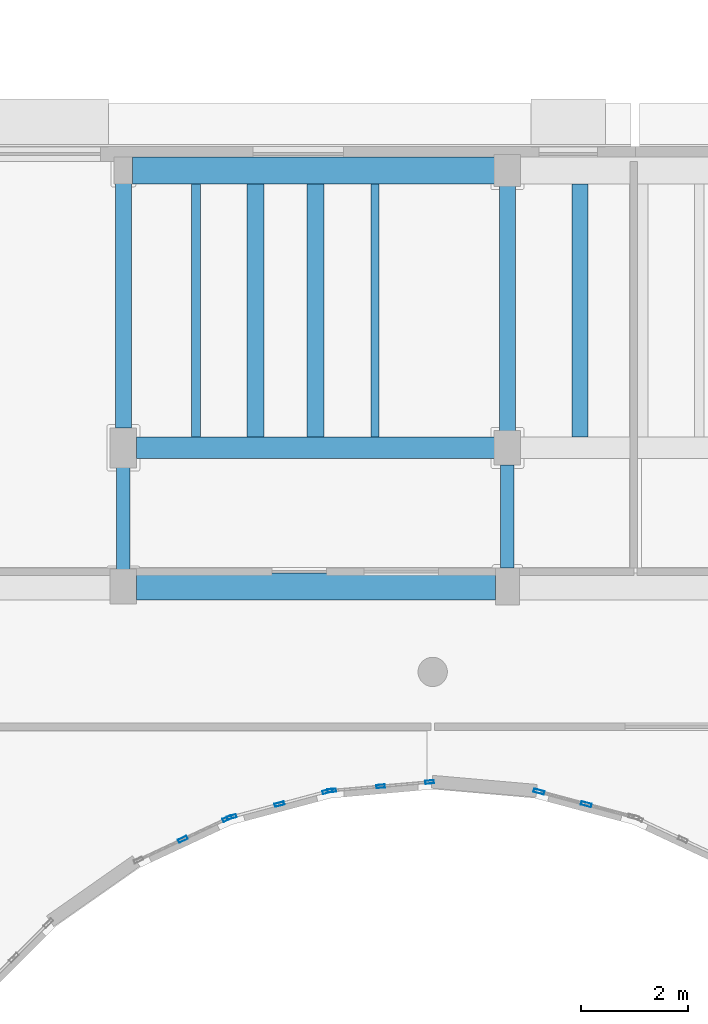
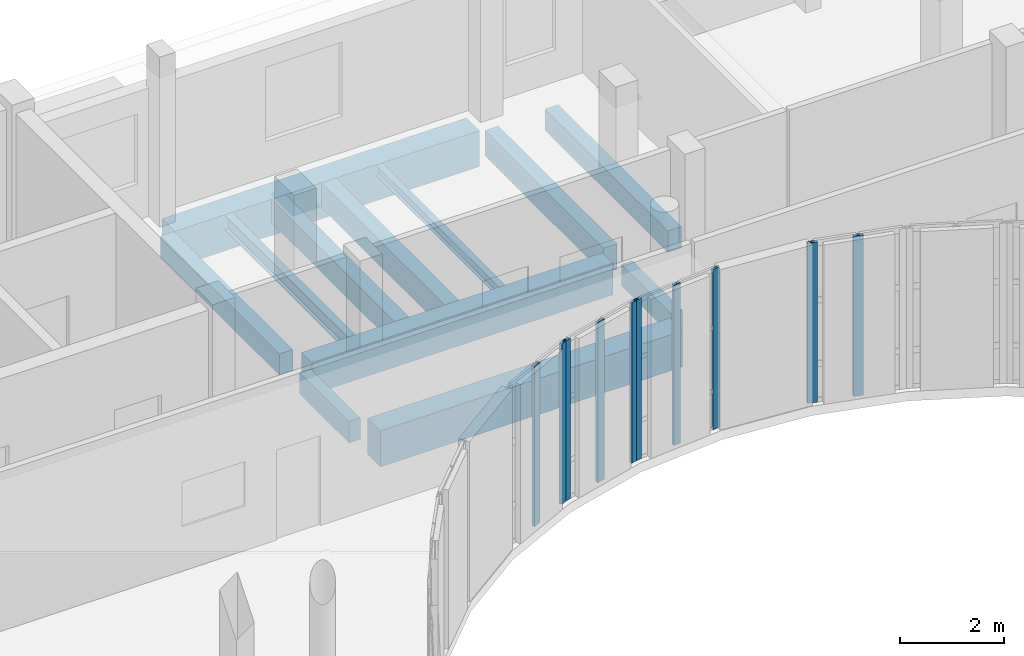
# One storey, part 20 of 89: 12 beams, 10 members, 4 elements without a shape of their own.
"""IFC4 building model written with IfcOpenShell, lengths in metres."""

from ifc_helpers import new_model, si_unit, direction, frame, origin, origin_2d, place, context, subcontext, project, spatial, rectangle, hollow_rectangle, i_section, extrude, material, layer, layer_set, material_profile, profile_set, type_object, element, aggregate, save


model = new_model("IFC4")

# Units and contexts
model_context = context("Model", 3, precision=1e-05, world=origin(), true_north=direction((0.0, 1.0)))
body_context = subcontext(model_context, "Body", "Model", "MODEL_VIEW")
ifc_project = project(units=[si_unit("LENGTHUNIT", "METRE"), si_unit("AREAUNIT", "SQUARE_METRE"), si_unit("VOLUMEUNIT", "CUBIC_METRE"), si_unit("PLANEANGLEUNIT", "RADIAN"), si_unit("MASSUNIT", "GRAM", prefix="KILO")], contexts=[model_context])

# Site, building, storey
site_placement = place(None, origin())
site = spatial("IfcSite", under=ifc_project, at=site_placement, CompositionType="ELEMENT")
building_placement = place(site_placement, origin())
building = spatial("IfcBuilding", under=site, at=building_placement, Name="Kelanivale Promenade Academy", CompositionType="ELEMENT")
storey_placement = place(building_placement, frame((0.0, 0.0, 12.199951171875)))
storey = spatial("IfcBuildingStorey", under=building, at=storey_placement, Name="L03", CompositionType="ELEMENT", Elevation=12.199951171875)

# Beams
ifc_material_1 = material(Name="Concrete C35/45", Category="concrete")
ifc_material_profile_1 = material_profile(ifc_material_1, rectangle(XDim=0.5, YDim=0.85009765625, at=origin_2d()), Name="RC-BM 500x850")
ifc_profile_set_1 = profile_set([ifc_material_profile_1], Name="Concrete C35/45")
beam_type_1 = type_object("IfcBeamType", Name="BM-07 RC-BM 500x850", PredefinedType="BEAM", material=ifc_profile_set_1)
beam_1_placement = place(storey_placement, frame((57.844970703125, 71.60009765625, -0.64501953125), z_axis=(1.0, 0.0, 0.0), x_axis=(0.0, 1.0, 0.0)))
element("IfcBeam", 1, at=beam_1_placement, inside=storey, type_object=beam_type_1, Name="L03 girder BM-07", PredefinedType="BEAM", context=body_context, shape_type="SweptSolid", body=[
    extrude(rectangle(XDim=0.5, YDim=0.85009765625, at=origin_2d()), origin(), (0.0, 0.0, 1.0), 6.735107421875),
])
beam_2_placement = place(storey_placement, frame((57.77001953125, 79.39990234375, -0.64501953125), z_axis=(1.0, 0.0, 0.0), x_axis=(0.0, 1.0, 0.0)))
element("IfcBeam", 2, at=beam_2_placement, inside=storey, type_object=beam_type_1, Name="L03 girder BM-07", PredefinedType="BEAM", context=body_context, shape_type="SweptSolid", body=[
    extrude(rectangle(XDim=0.5, YDim=0.85009765625, at=origin_2d()), origin(), (0.0, 0.0, 1.0), 6.784912109375),
])
ifc_material_profile_2 = material_profile(ifc_material_1, rectangle(XDim=0.39990234375, YDim=0.75, at=origin_2d()), Name="RC-BM 400x750")
ifc_profile_set_2 = profile_set([ifc_material_profile_2], Name="Concrete C35/45")
beam_type_2 = type_object("IfcBeamType", Name="BM-13 RC-BM 400x750", PredefinedType="BEAM", material=ifc_profile_set_2)
beam_3_placement = place(storey_placement, frame((57.844970703125, 74.199951171875, -0.594970703125), z_axis=(1.0, 0.0, 0.0), x_axis=(0.0, 1.0, 0.0)))
element("IfcBeam", 3, at=beam_3_placement, inside=storey, type_object=beam_type_2, Name="L03 girder BM-13", PredefinedType="BEAM", context=body_context, shape_type="SweptSolid", body=[
    extrude(rectangle(XDim=0.39990234375, YDim=0.75, at=origin_2d()), origin(), (0.0, 0.0, 1.0), 6.7099609375),
])

# Curtain wall, members
ifc_material_2 = material(Name="Bronze anodised aluminium and solar-control low-E glass", Category="aluminium")
ifc_layer_1 = layer(ifc_material_2, 0.179931640625)
ifc_layer_set_1 = layer_set([ifc_layer_1], Name="Bronze anodised aluminium and solar-control low-E glass")
curtain_wall_type_1 = type_object("IfcCurtainWallType", Name="CW-17 Curtain Wall 1950mm Module", PredefinedType="USERDEFINED", material=ifc_layer_set_1)
curtain_wall_1_placement = place(storey_placement, origin())
curtain_wall_1 = element("IfcCurtainWall", 4, at=curtain_wall_1_placement, inside=storey, type_object=curtain_wall_type_1, Name="L03 courtyard curtain wall CW-17", ObjectType="COURTYARD SCREEN GLAZING", PredefinedType="USERDEFINED")
ifc_material_3 = material(Name="Bronze anodised aluminium EN AW-6063 T6", Category="aluminium")
ifc_material_profile_3 = material_profile(ifc_material_3, hollow_rectangle(XDim=0.06005859375, YDim=0.159912109375, WallThickness=0.00390625, at=origin_2d()), Name="ALU 60x160x4.0")
ifc_profile_set_3 = profile_set([ifc_material_profile_3], Name="Bronze anodised aluminium EN AW-6063 T6")
member_type_1 = type_object("IfcMemberType", Name="CWM-01 ALU 60x160x4.0", PredefinedType="MULLION", material=ifc_profile_set_3)
member_1_placement = place(storey_placement, frame((63.343017578125, 67.935302734375, 0.0), z_axis=(0.0, 0.0, 1.0), x_axis=(0.087264768066, -0.996185153601, 0.0)))
member_1 = element("IfcMember", 5, at=member_1_placement, type_object=member_type_1, Name="CW-17 mullion 1", PredefinedType="MULLION", context=body_context, shape_type="SweptSolid", body=[
    extrude(hollow_rectangle(XDim=0.06005859375, YDim=0.159912109375, WallThickness=0.00390625, at=origin_2d()), origin(), (0.0, 0.0, 1.0), 3.780029296875),
])
member_2_placement = place(storey_placement, frame((62.425537109375, 67.85498046875, 0.0), z_axis=(0.0, 0.0, 1.0), x_axis=(0.087264768066, -0.996185153601, 0.0)))
member_2 = element("IfcMember", 6, at=member_2_placement, type_object=member_type_1, Name="CW-17 mullion 2", PredefinedType="MULLION", context=body_context, shape_type="SweptSolid", body=[
    extrude(hollow_rectangle(XDim=0.06005859375, YDim=0.159912109375, WallThickness=0.00390625, at=origin_2d()), origin(), (0.0, 0.0, 1.0), 3.780029296875),
])
member_3_placement = place(storey_placement, frame((61.5078125, 67.774658203125, 0.0), z_axis=(0.0, 0.0, 1.0), x_axis=(0.087264768066, -0.996185153601, 0.0)))
member_3 = element("IfcMember", 7, at=member_3_placement, type_object=member_type_1, Name="CW-17 mullion 3", PredefinedType="MULLION", context=body_context, shape_type="SweptSolid", body=[
    extrude(hollow_rectangle(XDim=0.06005859375, YDim=0.159912109375, WallThickness=0.00390625, at=origin_2d()), origin(), (0.0, 0.0, 1.0), 3.780029296875),
])
aggregate(curtain_wall_1, [member_1, member_2, member_3])

ifc_layer_2 = layer(ifc_material_2, 0.159912109375)
ifc_layer_set_2 = layer_set([ifc_layer_2], Name="Bronze anodised aluminium and solar-control low-E glass")
curtain_wall_type_2 = type_object("IfcCurtainWallType", Name="CW-18 Curtain Wall 1200mm Module", PredefinedType="USERDEFINED", material=ifc_layer_set_2)
curtain_wall_2_placement = place(storey_placement, origin())
curtain_wall_2 = element("IfcCurtainWall", 8, at=curtain_wall_2_placement, inside=storey, type_object=curtain_wall_type_2, Name="L03 courtyard curtain wall CW-18", ObjectType="COURTYARD SCREEN GLAZING", PredefinedType="USERDEFINED")
ifc_material_profile_4 = material_profile(ifc_material_3, hollow_rectangle(XDim=0.06005859375, YDim=0.179931640625, WallThickness=0.00390625, at=origin_2d()), Name="ALU 60x180x4.0")
ifc_profile_set_4 = profile_set([ifc_material_profile_4], Name="Bronze anodised aluminium EN AW-6063 T6")
member_type_2 = type_object("IfcMemberType", Name="CWM-02 ALU 60x180x4.0", PredefinedType="MULLION", material=ifc_profile_set_4)
member_4_placement = place(storey_placement, frame((61.425048828125, 67.76025390625, 0.0), z_axis=(0.0, 0.0, 1.0), x_axis=(0.258701323721, -0.96595736195, 0.0)))
member_4 = element("IfcMember", 9, at=member_4_placement, type_object=member_type_2, Name="CW-18 mullion 1", PredefinedType="MULLION", context=body_context, shape_type="SweptSolid", body=[
    extrude(hollow_rectangle(XDim=0.06005859375, YDim=0.179931640625, WallThickness=0.00390625, at=origin_2d()), origin(), (0.0, 0.0, 1.0), 3.780029296875),
])
member_5_placement = place(storey_placement, frame((60.528076171875, 67.52001953125, 0.0), z_axis=(0.0, 0.0, 1.0), x_axis=(0.258701323721, -0.96595736195, 0.0)))
member_5 = element("IfcMember", 10, at=member_5_placement, type_object=member_type_2, Name="CW-18 mullion 2", PredefinedType="MULLION", context=body_context, shape_type="SweptSolid", body=[
    extrude(hollow_rectangle(XDim=0.06005859375, YDim=0.179931640625, WallThickness=0.00390625, at=origin_2d()), origin(), (0.0, 0.0, 1.0), 3.780029296875),
])
member_6_placement = place(storey_placement, frame((59.630859375, 67.27978515625, 0.0), z_axis=(0.0, 0.0, 1.0), x_axis=(0.258701323721, -0.96595736195, 0.0)))
member_6 = element("IfcMember", 11, at=member_6_placement, type_object=member_type_2, Name="CW-18 mullion 3", PredefinedType="MULLION", context=body_context, shape_type="SweptSolid", body=[
    extrude(hollow_rectangle(XDim=0.06005859375, YDim=0.179931640625, WallThickness=0.00390625, at=origin_2d()), origin(), (0.0, 0.0, 1.0), 3.780029296875),
])
aggregate(curtain_wall_2, [member_4, member_5, member_6])

ifc_layer_3 = layer(ifc_material_2, 0.169921875)
ifc_layer_set_3 = layer_set([ifc_layer_3], Name="Bronze anodised aluminium and solar-control low-E glass")
curtain_wall_type_3 = type_object("IfcCurtainWallType", Name="CW-19 Curtain Wall 1350mm Module", PredefinedType="USERDEFINED", material=ifc_layer_set_3)
curtain_wall_3_placement = place(storey_placement, origin())
curtain_wall_3 = element("IfcCurtainWall", 12, at=curtain_wall_3_placement, inside=storey, type_object=curtain_wall_type_3, Name="L03 courtyard curtain wall CW-19", ObjectType="COURTYARD SCREEN GLAZING", PredefinedType="USERDEFINED")
ifc_material_profile_5 = material_profile(ifc_material_3, hollow_rectangle(XDim=0.06494140625, YDim=0.175048828125, WallThickness=0.00390625, at=origin_2d()), Name="ALU 65x175x4.0")
ifc_profile_set_5 = profile_set([ifc_material_profile_5], Name="Bronze anodised aluminium EN AW-6063 T6")
member_type_3 = type_object("IfcMemberType", Name="CWM-03 ALU 65x175x4.0", PredefinedType="MULLION", material=ifc_profile_set_5)
member_7_placement = place(storey_placement, frame((59.549560546875, 67.250244140625, 0.0), z_axis=(0.0, 0.0, 1.0), x_axis=(0.423086860887, -0.906089128146, 0.0)))
member_7 = element("IfcMember", 13, at=member_7_placement, type_object=member_type_3, Name="CW-19 mullion 1", PredefinedType="MULLION", context=body_context, shape_type="SweptSolid", body=[
    extrude(hollow_rectangle(XDim=0.06494140625, YDim=0.175048828125, WallThickness=0.00390625, at=origin_2d()), origin(), (0.0, 0.0, 1.0), 3.780029296875),
])
member_8_placement = place(storey_placement, frame((58.717041015625, 66.861572265625, 0.0), z_axis=(0.0, 0.0, 1.0), x_axis=(0.423086860887, -0.906089128146, 0.0)))
member_8 = element("IfcMember", 14, at=member_8_placement, type_object=member_type_3, Name="CW-19 mullion 2", PredefinedType="MULLION", context=body_context, shape_type="SweptSolid", body=[
    extrude(hollow_rectangle(XDim=0.06494140625, YDim=0.175048828125, WallThickness=0.00390625, at=origin_2d()), origin(), (0.0, 0.0, 1.0), 3.780029296875),
])
aggregate(curtain_wall_3, [member_7, member_8])

ifc_layer_4 = layer(ifc_material_2, 0.169921875)
ifc_layer_set_4 = layer_set([ifc_layer_4], Name="Bronze anodised aluminium and solar-control low-E glass")
curtain_wall_type_4 = type_object("IfcCurtainWallType", Name="CW-16 Curtain Wall 1800mm Module", PredefinedType="USERDEFINED", material=ifc_layer_set_4)
curtain_wall_4_placement = place(storey_placement, origin())
curtain_wall_4 = element("IfcCurtainWall", 15, at=curtain_wall_4_placement, inside=storey, type_object=curtain_wall_type_4, Name="L03 courtyard curtain wall CW-16", ObjectType="COURTYARD SCREEN GLAZING", PredefinedType="USERDEFINED")
ifc_material_profile_6 = material_profile(ifc_material_3, hollow_rectangle(XDim=0.06494140625, YDim=0.199951171875, WallThickness=0.00439453125, at=origin_2d()), Name="ALU 65x200x4.5")
ifc_profile_set_6 = profile_set([ifc_material_profile_6], Name="Bronze anodised aluminium EN AW-6063 T6")
member_type_4 = type_object("IfcMemberType", Name="CWM-04 ALU 65x200x4.5", PredefinedType="MULLION", material=ifc_profile_set_6)
member_9_placement = place(storey_placement, frame((66.279052734375, 67.51806640625, 0.0), z_axis=(0.0, 0.0, 1.0), x_axis=(-0.258578458902, -0.965990259056, 0.0)))
member_9 = element("IfcMember", 16, at=member_9_placement, type_object=member_type_4, Name="CW-16 mullion 2", PredefinedType="MULLION", context=body_context, shape_type="SweptSolid", body=[
    extrude(hollow_rectangle(XDim=0.06494140625, YDim=0.199951171875, WallThickness=0.00439453125, at=origin_2d()), origin(), (0.0, 0.0, 1.0), 3.780029296875),
])
member_10_placement = place(storey_placement, frame((65.391357421875, 67.755615234375, 0.0), z_axis=(0.0, 0.0, 1.0), x_axis=(-0.258578458902, -0.965990259056, 0.0)))
member_10 = element("IfcMember", 17, at=member_10_placement, type_object=member_type_4, Name="CW-16 mullion 3", PredefinedType="MULLION", context=body_context, shape_type="SweptSolid", body=[
    extrude(hollow_rectangle(XDim=0.06494140625, YDim=0.199951171875, WallThickness=0.00439453125, at=origin_2d()), origin(), (0.0, 0.0, 1.0), 3.780029296875),
])
aggregate(curtain_wall_4, [member_9, member_10])

# Beams
ifc_material_profile_7 = material_profile(ifc_material_1, rectangle(XDim=0.300048828125, YDim=0.5, at=origin_2d()), Name="RC-BM 300x500")
ifc_profile_set_7 = profile_set([ifc_material_profile_7], Name="Concrete C35/45")
beam_type_3 = type_object("IfcBeamType", Name="JS-01 RC-BM 300x500", PredefinedType="JOIST", material=ifc_profile_set_7)
beam_4_placement = place(storey_placement, frame((57.60009765625, 74.570068359375, -0.469970703125), z_axis=(0.0, 1.0, 0.0), x_axis=(-1.0, 0.0, 0.0)))
element("IfcBeam", 18, at=beam_4_placement, inside=storey, type_object=beam_type_3, Name="L03 beam JS-01", PredefinedType="JOIST", context=body_context, shape_type="SweptSolid", body=[
    extrude(rectangle(XDim=0.300048828125, YDim=0.5, at=origin_2d()), origin(), (0.0, 0.0, 1.0), 4.5849609375),
])
beam_5_placement = place(storey_placement, frame((66.1630859375, 74.39990234375, -0.469970703125), z_axis=(0.0, 1.0, 0.0), x_axis=(-1.0, 0.0, 0.0)))
element("IfcBeam", 19, at=beam_5_placement, inside=storey, type_object=beam_type_3, Name="L03 secondary sub-beam JS-01", PredefinedType="JOIST", context=body_context, shape_type="SweptSolid", body=[
    extrude(rectangle(XDim=0.300048828125, YDim=0.5, at=origin_2d()), origin(), (0.0, 0.0, 1.0), 4.75),
])
ifc_material_profile_8 = material_profile(ifc_material_1, rectangle(XDim=0.300048828125, YDim=0.60009765625, at=origin_2d()), Name="RC-BM 300x600")
ifc_profile_set_8 = profile_set([ifc_material_profile_8], Name="Concrete C35/45")
beam_type_4 = type_object("IfcBeamType", Name="JS-03 RC-BM 300x600", PredefinedType="JOIST", material=ifc_profile_set_8)
beam_6_placement = place(storey_placement, frame((64.800048828125, 74.52001953125, -0.52001953125), z_axis=(0.0, 1.0, 0.0), x_axis=(-1.0, 0.0, 0.0)))
element("IfcBeam", 20, at=beam_6_placement, inside=storey, type_object=beam_type_4, Name="L03 beam JS-03", PredefinedType="JOIST", context=body_context, shape_type="SweptSolid", body=[
    extrude(rectangle(XDim=0.300048828125, YDim=0.60009765625, at=origin_2d()), origin(), (0.0, 0.0, 1.0), 4.5849609375),
])
ifc_material_profile_9 = material_profile(ifc_material_1, rectangle(XDim=0.320068359375, YDim=0.550048828125, at=origin_2d()), Name="RC-BM 320x550")
ifc_profile_set_9 = profile_set([ifc_material_profile_9], Name="Concrete C35/45")
beam_type_5 = type_object("IfcBeamType", Name="JS-04 RC-BM 320x550", PredefinedType="JOIST", material=ifc_profile_set_9)
beam_7_placement = place(storey_placement, frame((60.08203125, 74.39990234375, -0.494873046875), z_axis=(0.0, 1.0, 0.0), x_axis=(-1.0, 0.0, 0.0)))
element("IfcBeam", 21, at=beam_7_placement, inside=storey, type_object=beam_type_5, Name="L03 secondary sub-beam JS-04", PredefinedType="JOIST", context=body_context, shape_type="SweptSolid", body=[
    extrude(rectangle(XDim=0.320068359375, YDim=0.550048828125, at=origin_2d()), origin(), (0.0, 0.0, 1.0), 4.75),
])
ifc_material_profile_10 = material_profile(ifc_material_1, rectangle(XDim=0.320068359375, YDim=0.60009765625, at=origin_2d()), Name="RC-BM 320x600")
ifc_profile_set_10 = profile_set([ifc_material_profile_10], Name="Concrete C35/45")
beam_type_6 = type_object("IfcBeamType", Name="JS-05 RC-BM 320x600", PredefinedType="JOIST", material=ifc_profile_set_10)
beam_8_placement = place(storey_placement, frame((61.199951171875, 74.39990234375, -0.52001953125), z_axis=(0.0, 1.0, 0.0), x_axis=(-1.0, 0.0, 0.0)))
element("IfcBeam", 22, at=beam_8_placement, inside=storey, type_object=beam_type_6, Name="L03 secondary sub-beam JS-05", PredefinedType="JOIST", context=body_context, shape_type="SweptSolid", body=[
    extrude(rectangle(XDim=0.320068359375, YDim=0.60009765625, at=origin_2d()), origin(), (0.0, 0.0, 1.0), 4.75),
])
ifc_material_profile_11 = material_profile(ifc_material_1, rectangle(XDim=0.25, YDim=0.5, at=origin_2d()), Name="RC-BM 250x500")
ifc_profile_set_11 = profile_set([ifc_material_profile_11], Name="Concrete C35/45")
beam_type_7 = type_object("IfcBeamType", Name="LN-02 RC-BM 250x500", PredefinedType="LINTEL", material=ifc_profile_set_11)
beam_9_placement = place(storey_placement, frame((57.60009765625, 71.919921875, -0.469970703125), z_axis=(0.0, 1.0, 0.0), x_axis=(-1.0, 0.0, 0.0)))
element("IfcBeam", 23, at=beam_9_placement, inside=storey, type_object=beam_type_7, Name="L03 beam LN-02", PredefinedType="LINTEL", context=body_context, shape_type="SweptSolid", body=[
    extrude(rectangle(XDim=0.25, YDim=0.5, at=origin_2d()), origin(), (0.0, 0.0, 1.0), 1.91015625),
])
beam_10_placement = place(storey_placement, frame((64.800048828125, 71.945068359375, -0.469970703125), z_axis=(0.0, 1.0, 0.0), x_axis=(-1.0, 0.0, 0.0)))
element("IfcBeam", 24, at=beam_10_placement, inside=storey, type_object=beam_type_7, Name="L03 beam LN-02", PredefinedType="LINTEL", context=body_context, shape_type="SweptSolid", body=[
    extrude(rectangle(XDim=0.25, YDim=0.5, at=origin_2d()), origin(), (0.0, 0.0, 1.0), 1.934814453125),
])
ifc_material_4 = material(Name="Steel S355", Category="steel")
ifc_material_profile_12 = material_profile(ifc_material_4, i_section(OverallWidth=0.14599609375, OverallDepth=0.25146484375, WebThickness=0.006103515625, FlangeThickness=0.008544921875, FilletRadius=0.007568359375, at=origin_2d()), Name="UB 254x146x31")
ifc_profile_set_12 = profile_set([ifc_material_profile_12], Name="Steel S355")
beam_type_8 = type_object("IfcBeamType", Name="SB-02 UB 254x146x31", PredefinedType="JOIST", material=ifc_profile_set_12)
beam_11_placement = place(storey_placement, frame((62.318115234375, 74.39990234375, -0.345947265625), z_axis=(0.0, 1.0, 0.0), x_axis=(-1.0, 0.0, 0.0)))
element("IfcBeam", 25, at=beam_11_placement, inside=storey, type_object=beam_type_8, Name="L03 secondary sub-beam SB-02", PredefinedType="JOIST", context=body_context, shape_type="SweptSolid", body=[
    extrude(i_section(OverallWidth=0.14599609375, OverallDepth=0.25146484375, WebThickness=0.006103515625, FlangeThickness=0.008544921875, FilletRadius=0.007568359375, at=origin_2d()), origin(), (0.0, 0.0, 1.0), 4.75),
])
ifc_material_profile_13 = material_profile(ifc_material_4, i_section(OverallWidth=0.17138671875, OverallDepth=0.35498046875, WebThickness=0.00732421875, FlangeThickness=0.011474609375, FilletRadius=0.01025390625, at=origin_2d()), Name="UB 356x171x51")
ifc_profile_set_13 = profile_set([ifc_material_profile_13], Name="Steel S355")
beam_type_9 = type_object("IfcBeamType", Name="SB-04 UB 356x171x51", PredefinedType="BEAM", material=ifc_profile_set_13)
beam_12_placement = place(storey_placement, frame((58.962890625, 74.39990234375, -0.39697265625), z_axis=(0.0, 1.0, 0.0), x_axis=(-1.0, 0.0, 0.0)))
element("IfcBeam", 26, at=beam_12_placement, inside=storey, type_object=beam_type_9, Name="L03 secondary sub-beam SB-04", PredefinedType="BEAM", context=body_context, shape_type="SweptSolid", body=[
    extrude(i_section(OverallWidth=0.17138671875, OverallDepth=0.35498046875, WebThickness=0.00732421875, FlangeThickness=0.011474609375, FilletRadius=0.01025390625, at=origin_2d()), origin(), (0.0, 0.0, 1.0), 4.75),
])

save(model, "model.ifc")
